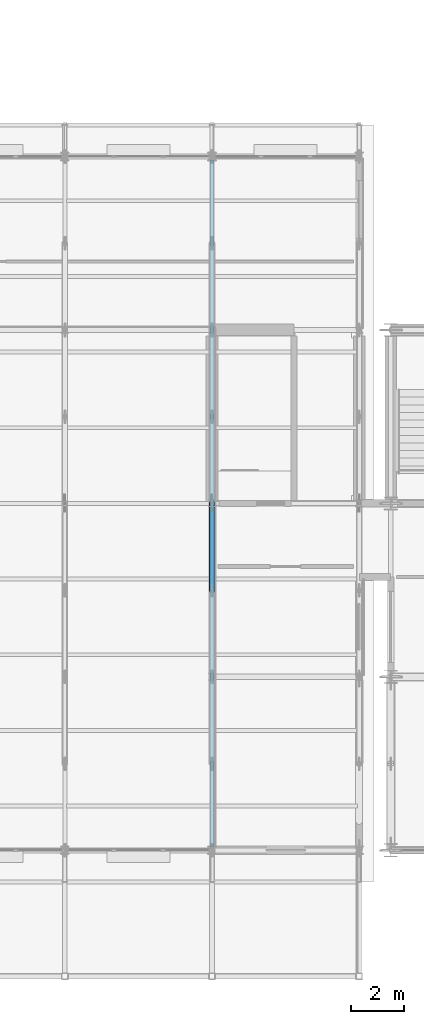
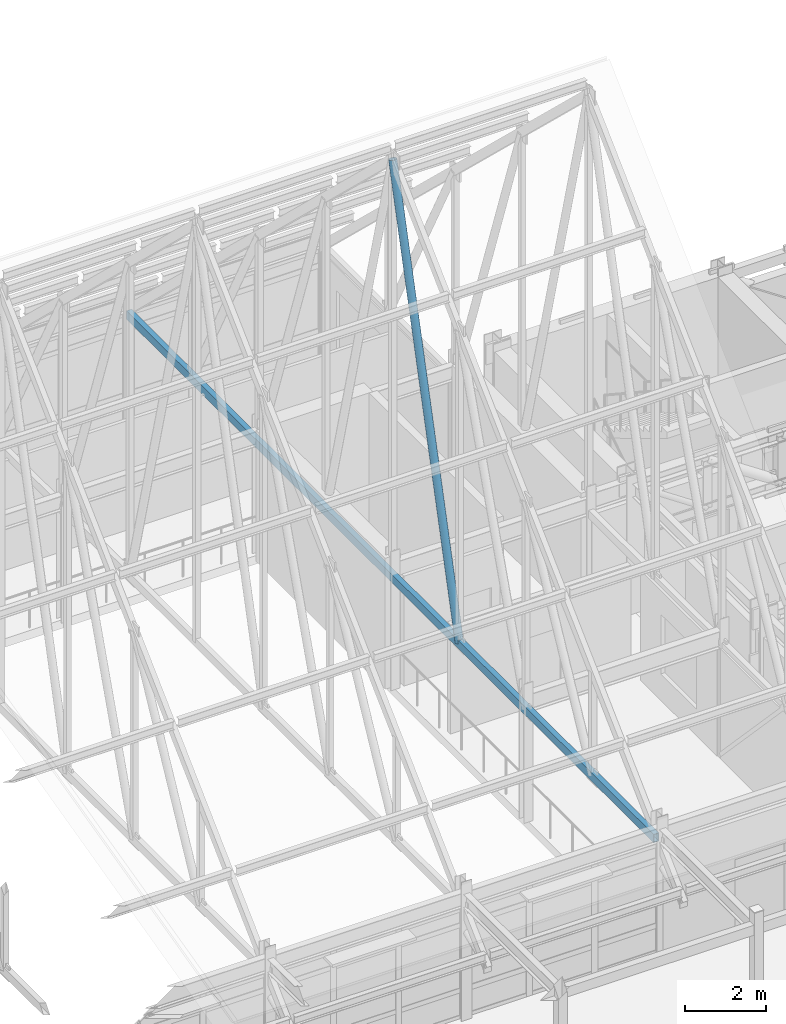
# One storey, part 53 of 144: 2 members.
"""IFC4 building model written with IfcOpenShell, lengths in metres."""

from ifc_helpers import new_model, si_unit, direction, frame, origin, origin_2d, place, context, subcontext, project, spatial, hollow_rectangle, hollow_circle, extrude, material, material_profile, profile_set, type_object, element, save


model = new_model("IFC4")

# Units and contexts
model_context = context("Model", 3, precision=1e-05, world=origin(), true_north=direction((0.0, 1.0)))
body_context = subcontext(model_context, "Body", "Model", "MODEL_VIEW")
ifc_project = project(units=[si_unit("LENGTHUNIT", "METRE"), si_unit("AREAUNIT", "SQUARE_METRE"), si_unit("VOLUMEUNIT", "CUBIC_METRE"), si_unit("PLANEANGLEUNIT", "RADIAN"), si_unit("MASSUNIT", "GRAM", prefix="KILO")], contexts=[model_context])

# Site, building, storey
site_placement = place(None, origin())
site = spatial("IfcSite", under=ifc_project, at=site_placement, CompositionType="ELEMENT")
building_placement = place(site_placement, origin())
building = spatial("IfcBuilding", under=site, at=building_placement, Name="Trelmorton Wharf Fire Station", CompositionType="ELEMENT")
storey_placement = place(building_placement, frame((0.0, 0.0, 5.39990234375)))
storey = spatial("IfcBuildingStorey", under=building, at=storey_placement, Name="L01", CompositionType="ELEMENT", Elevation=5.39990234375)

# Members
ifc_material = material(Name="Steel C350L0 (350 MPa)", Category="steel")
ifc_material_profile_1 = material_profile(ifc_material, hollow_rectangle(XDim=0.14990234375, YDim=0.25, WallThickness=0.009033203125, at=origin_2d()), Name="250x150x9.0RHS")
ifc_profile_set_1 = profile_set([ifc_material_profile_1], Name="Steel C350L0 (350 MPa)")
member_type_1 = type_object("IfcMemberType", Name="TR_CHORD_250RHS", PredefinedType="CHORD", material=ifc_profile_set_1)
member_1_placement = place(storey_placement, frame((51.199951171875, 7.95361328125, 3.351806640625), z_axis=(0.0, 1.0, 0.0), x_axis=(-1.0, 0.0, 0.0)))
element("IfcMember", 1, at=member_1_placement, inside=storey, type_object=member_type_1, Name="V1-TR10-BC", PredefinedType="CHORD", context=body_context, shape_type="SweptSolid", body=[
    extrude(hollow_rectangle(XDim=0.14990234375, YDim=0.25, WallThickness=0.009033203125, at=origin_2d()), origin(), (0.0, 0.0, 1.0), 26.0927734375),
])
ifc_material_profile_2 = material_profile(ifc_material, hollow_circle(Radius=0.109619140625, WallThickness=0.00830078125, at=origin_2d()), Name="219.1x8.2CHS")
ifc_profile_set_2 = profile_set([ifc_material_profile_2], Name="Steel C350L0 (350 MPa)")
member_type_2 = type_object("IfcMemberType", Name="TR_DIAG_219CHS", PredefinedType="STRUT", material=ifc_profile_set_2)
member_2_placement = place(storey_placement, frame((51.199951171875, 17.699951171875, 3.351806640625), z_axis=(0.0, 0.25336106238, 0.967371785856), x_axis=(-1.0, 0.0, 0.0)))
element("IfcMember", 2, at=member_2_placement, inside=storey, type_object=member_type_2, Name="V1-TR10-DG-S3", PredefinedType="STRUT", context=body_context, shape_type="SweptSolid", body=[
    extrude(hollow_circle(Radius=0.109619140625, WallThickness=0.00830078125, at=origin_2d()), origin(), (0.0, 0.0, 1.0), 13.025146484375),
])

save(model, "model.ifc")
